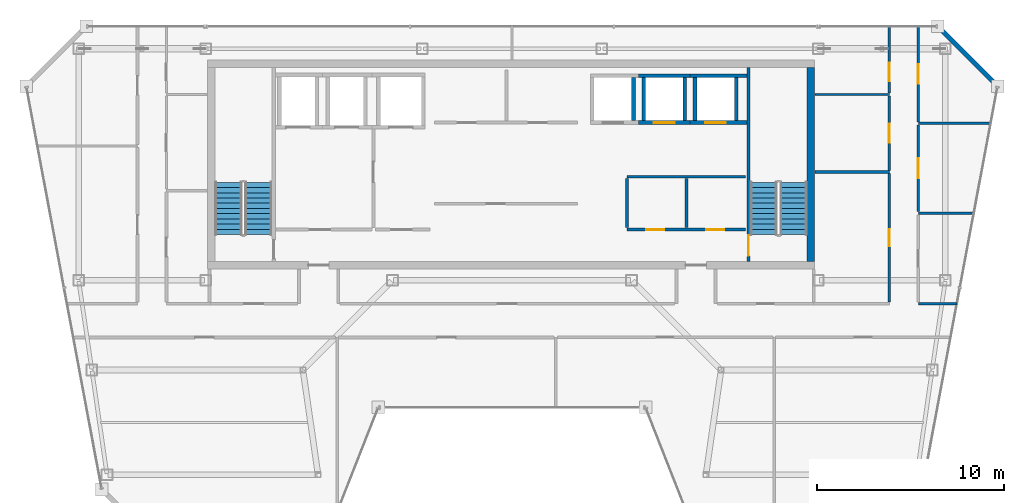
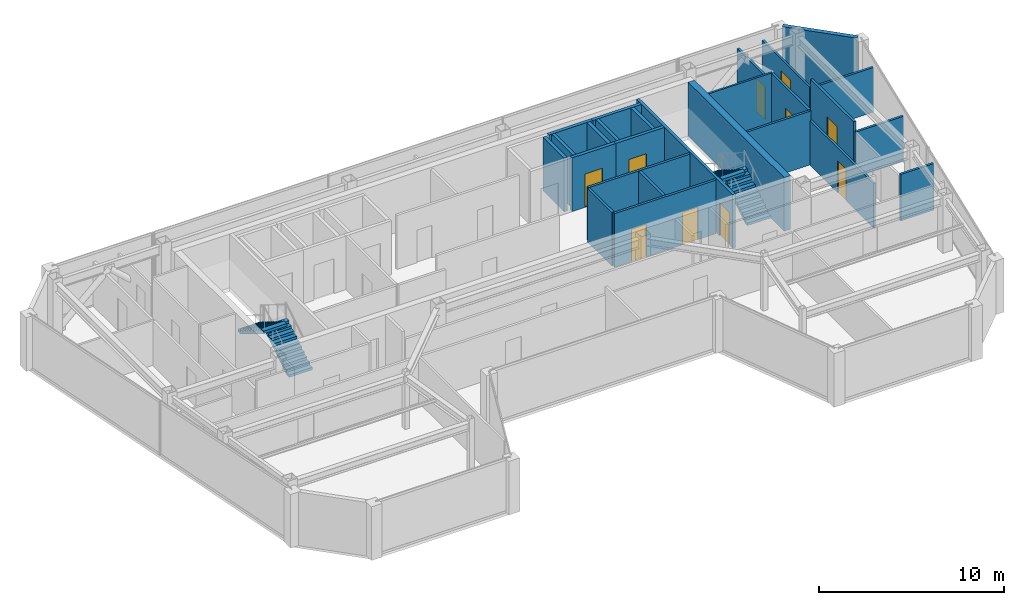
# One storey, part 20 of 22: 26 walls, 10 doors, 4 stair flights, 10 openings, 2 elements without a shape of their own.
"""IFC4 building model written with IfcOpenShell, lengths in metres."""

from ifc_helpers import new_model, si_unit, direction, frame, frame_2d, origin, place, context, subcontext, project, spatial, polyline, rectangle, outline, extrude, material, layer, layer_set, type_object, element, fill, aggregate, save


model = new_model("IFC4")

# Units and contexts
model_context = context("Model", 3, precision=1e-05, world=origin(), true_north=direction((0.0, 1.0)))
body_context = subcontext(model_context, "Body", "Model", "MODEL_VIEW")
ifc_project = project(units=[si_unit("LENGTHUNIT", "METRE"), si_unit("AREAUNIT", "SQUARE_METRE"), si_unit("VOLUMEUNIT", "CUBIC_METRE"), si_unit("PLANEANGLEUNIT", "RADIAN"), si_unit("MASSUNIT", "GRAM", prefix="KILO")], contexts=[model_context])

# Site, building, storey
site_placement = place(None, origin())
site = spatial("IfcSite", under=ifc_project, at=site_placement, CompositionType="ELEMENT")
building_placement = place(site_placement, origin())
building = spatial("IfcBuilding", under=site, at=building_placement, Name="Saevonmaru Cultural Tower", CompositionType="ELEMENT")
storey_placement = place(building_placement, frame((0.0, 0.0, 287.60009765625)))
storey = spatial("IfcBuildingStorey", under=building, at=storey_placement, Name="L68", CompositionType="ELEMENT", Elevation=287.60009765625)

# Wall
ifc_material_1 = material(Name="Concrete C50/60", Category="concrete")
ifc_layer_1 = layer(ifc_material_1, 0.39990234375, Name="Concrete C50/60")
ifc_layer_set_1 = layer_set([ifc_layer_1], Name="Concrete C50/60")
wall_type_1 = type_object("IfcWallType", Name="WL-CORE-400", PredefinedType="SHEAR", material=ifc_layer_set_1)
wall_1_placement = place(storey_placement, frame((46.0, 43.39990234375, 0.0), z_axis=(0.0, 0.0, 1.0), x_axis=(0.0, 1.0, 0.0)))
element("IfcWall", 1, at=wall_1_placement, inside=storey, type_object=wall_type_1, Name="L68 Tower RC core shear wall E", PredefinedType="SHEAR", context=body_context, shape_type="SweptSolid", body=[
    extrude(rectangle(XDim=10.400146484375, YDim=0.39990234375, at=frame_2d((5.2001953125, 0.0))), origin(), (0.0, 0.0, 1.0), 3.5498046875),
])

# Wall, openings, doors
ifc_material_2 = material(Name="Gypsum Fireboard Partition", Category="gypsum")
ifc_layer_2 = layer(ifc_material_2, 0.14990234375, Name="Gypsum Fireboard Partition")
ifc_layer_set_2 = layer_set([ifc_layer_2], Name="Gypsum Fireboard Partition")
wall_type_2 = type_object("IfcWallType", Name="WL-CORE-PART-150", PredefinedType="PARTITIONING", material=ifc_layer_set_2)
wall_2_placement = place(storey_placement, frame((36.14990234375, 45.1201171875, 0.0), z_axis=(0.0, 0.0, 1.0), x_axis=(1.0, 0.0, 0.0)))
wall_2 = element("IfcWall", 2, at=wall_2_placement, inside=storey, type_object=wall_type_2, Name="L68 Core Cluster South Wall", PredefinedType="PARTITIONING", context=body_context, shape_type="SweptSolid", body=[
    extrude(rectangle(XDim=6.35009765625, YDim=0.14990234375, at=frame_2d((3.175048828125, 0.0))), origin(), (0.0, 0.0, 1.0), 3.5498046875),
])
opening_1_placement = place(wall_2_placement, frame((1.050048828125, 0.0, 0.0)))
opening_1 = element("IfcOpeningElement", 3, at=opening_1_placement, cuts=wall_2, Name="Opening FD-4", PredefinedType="OPENING", context=body_context, shape_type="SweptSolid", body=[
    extrude(rectangle(XDim=0.949951171875, YDim=2.14990234375, at=frame_2d((0.47509765625, 1.074951171875))), frame((0.0, 0.0849609375, 0.0), z_axis=(0.0, -1.0, 0.0), x_axis=(1.0, 0.0, 0.0)), (0.0, 0.0, 1.0), 0.169921875),
])
opening_2_placement = place(wall_2_placement, frame((4.25, 0.0, 0.0)))
opening_2 = element("IfcOpeningElement", 4, at=opening_2_placement, cuts=wall_2, Name="Opening FD-4", PredefinedType="OPENING", context=body_context, shape_type="SweptSolid", body=[
    extrude(rectangle(XDim=0.949951171875, YDim=2.14990234375, at=frame_2d((0.47509765625, 1.074951171875))), frame((0.0, 0.0849609375, 0.0), z_axis=(0.0, -1.0, 0.0), x_axis=(1.0, 0.0, 0.0)), (0.0, 0.0, 1.0), 0.169921875),
])
ifc_material_3 = material(Name="Satin Bronze Anodised Aluminium", Category="aluminium")
door_type_1 = type_object("IfcDoorType", Name="DR-FD60-950", OperationType="SINGLE_SWING_LEFT", PredefinedType="DOOR", material=ifc_material_3)
door_1_placement = place(opening_1_placement, origin())
door_1 = element("IfcDoor", 5, at=door_1_placement, inside=storey, type_object=door_type_1, Name="L68 BMS Control Room Door", OperationType="SINGLE_SWING_LEFT", OverallHeight=2.14990234375, OverallWidth=0.949951171875, PredefinedType="DOOR", context=body_context, shape_type="SweptSolid", body=[
    extrude(rectangle(XDim=0.949951171875, YDim=2.14990234375, at=frame_2d((0.47509765625, 1.074951171875))), frame((0.0, 0.02490234375, 0.0), z_axis=(0.0, -1.0, 0.0), x_axis=(1.0, 0.0, 0.0)), (0.0, 0.0, 1.0), 0.050048828125),
])
fill(opening_1, door_1)
door_2_placement = place(opening_2_placement, origin())
door_2 = element("IfcDoor", 6, at=door_2_placement, inside=storey, type_object=door_type_1, Name="L68 Fibre Node Plant Door", OperationType="SINGLE_SWING_LEFT", OverallHeight=2.14990234375, OverallWidth=0.949951171875, PredefinedType="DOOR", context=body_context, shape_type="SweptSolid", body=[
    extrude(rectangle(XDim=0.949951171875, YDim=2.14990234375, at=frame_2d((0.47509765625, 1.074951171875))), frame((0.0, 0.02490234375, 0.0), z_axis=(0.0, -1.0, 0.0), x_axis=(1.0, 0.0, 0.0)), (0.0, 0.0, 1.0), 0.050048828125),
])
fill(opening_2, door_2)

# Walls
wall_3_placement = place(storey_placement, frame((36.14990234375, 47.949951171875, 0.0), z_axis=(0.0, 0.0, 1.0), x_axis=(1.0, 0.0, 0.0)))
element("IfcWall", 7, at=wall_3_placement, inside=storey, type_object=wall_type_2, Name="L68 Core Cluster North Wall", PredefinedType="PARTITIONING", context=body_context, shape_type="SweptSolid", body=[
    extrude(rectangle(XDim=6.35009765625, YDim=0.14990234375, at=frame_2d((3.175048828125, 0.0))), origin(), (0.0, 0.0, 1.0), 3.5498046875),
])
for number, where, z_axis, x_axis, name in (
    (8, (36.14990234375, 45.219970703125, 0.0), (0.0, 0.0, 1.0), (0.0, 1.0, 0.0), "L68 Core Cluster West Wall"),
    (9, (39.35009765625, 45.219970703125, 0.0), (0.0, 0.0, 1.0), (0.0, 1.0, 0.0), "L68 Core Cluster Inner Split"),
):
    element("IfcWall", number, at=place(storey_placement, frame(where, z_axis=z_axis, x_axis=x_axis)), inside=storey, type_object=wall_type_2, Name=name, PredefinedType="PARTITIONING", context=body_context, shape_type="SweptSolid", body=[
        extrude(rectangle(XDim=2.630126953125, YDim=0.14990234375, at=frame_2d((1.31494140625, 0.0))), origin(), (0.0, 0.0, 1.0), 3.5498046875),
    ])
ifc_material_4 = material(Name="Granite-Clad Precast Concrete C40/50", Category="masonry")
ifc_layer_3 = layer(ifc_material_4, 0.260009765625, Name="Granite-Clad Precast Concrete C40/50")
ifc_layer_set_3 = layer_set([ifc_layer_3], Name="Granite-Clad Precast Concrete C40/50")
wall_type_3 = type_object("IfcWallType", Name="WL-EXT-SPANDREL-260", PredefinedType="STANDARD", material=ifc_layer_set_3)
wall_4_placement = place(storey_placement, frame((55.886962890625, 52.9130859375, 0.0), z_axis=(0.0, 0.0, 1.0), x_axis=(-0.707106781187, 0.707106781187, 0.0)))
element("IfcWall", 10, at=wall_4_placement, inside=storey, type_object=wall_type_3, Name="L68 Chamfer Corner Spandrel Wall E9", PredefinedType="STANDARD", context=body_context, shape_type="SweptSolid", body=[
    extrude(rectangle(XDim=4.205810546875, YDim=0.260009765625, at=frame_2d((2.10302734375, 0.0))), origin(), (0.0, 0.0, 1.0), 3.5498046875),
])

# Wall, opening, door
ifc_layer_4 = layer(ifc_material_2, 0.14990234375, Name="Gypsum Fireboard Partition")
ifc_layer_set_4 = layer_set([ifc_layer_4], Name="Gypsum Fireboard Partition")
wall_type_4 = type_object("IfcWallType", Name="WL-PART-FIRE-150", PredefinedType="PARTITIONING", material=ifc_layer_set_4)
wall_5_placement = place(storey_placement, frame((50.199951171875, 48.2900390625, 0.0), z_axis=(0.0, 0.0, 1.0), x_axis=(0.0, 1.0, 0.0)))
wall_5 = element("IfcWall", 11, at=wall_5_placement, inside=storey, type_object=wall_type_4, Name="L68 Acoustic Chamber Auditorium Corridor Wall", PredefinedType="PARTITIONING", context=body_context, shape_type="SweptSolid", body=[
    extrude(rectangle(XDim=3.97998046875, YDim=0.14990234375, at=frame_2d((1.989990234375, 0.0))), origin(), (0.0, 0.0, 1.0), 3.5498046875),
])
opening_3_placement = place(wall_5_placement, frame((1.489990234375, 0.0, 0.0)))
opening_3 = element("IfcOpeningElement", 12, at=opening_3_placement, cuts=wall_5, Name="Opening ID-1B", PredefinedType="OPENING", context=body_context, shape_type="SweptSolid", body=[
    extrude(rectangle(XDim=1.0, YDim=2.14990234375, at=frame_2d((0.5, 1.074951171875))), frame((0.0, 0.0849609375, 0.0), z_axis=(0.0, -1.0, 0.0), x_axis=(1.0, 0.0, 0.0)), (0.0, 0.0, 1.0), 0.169921875),
])
ifc_material_5 = material(Name="Acoustic Stained Oak Timber", Category="wood")
door_type_2 = type_object("IfcDoorType", Name="DR-INT-1000", OperationType="SINGLE_SWING_RIGHT", PredefinedType="DOOR", material=ifc_material_5)
door_3_placement = place(opening_3_placement, origin())
door_3 = element("IfcDoor", 13, at=door_3_placement, inside=storey, type_object=door_type_2, Name="L68 Acoustic Chamber Auditorium Door", OperationType="SINGLE_SWING_LEFT", OverallHeight=2.14990234375, OverallWidth=1.0, PredefinedType="DOOR", context=body_context, shape_type="SweptSolid", body=[
    extrude(rectangle(XDim=1.0, YDim=2.14990234375, at=frame_2d((0.5, 1.074951171875))), frame((0.0, 0.02490234375, 0.0), z_axis=(0.0, -1.0, 0.0), x_axis=(1.0, 0.0, 0.0)), (0.0, 0.0, 1.0), 0.050048828125),
])
fill(opening_3, door_3)

wall_6_placement = place(storey_placement, frame((50.199951171875, 52.429931640625, 0.0), z_axis=(0.0, 0.0, 1.0), x_axis=(0.0, 1.0, 0.0)))
wall_6 = element("IfcWall", 14, at=wall_6_placement, inside=storey, type_object=wall_type_4, Name="L68 Sound Art Screening Auditorium Corridor Wall", PredefinedType="PARTITIONING", context=body_context, shape_type="SweptSolid", body=[
    extrude(rectangle(XDim=3.565185546875, YDim=0.14990234375, at=frame_2d((1.78271484375, 0.0))), origin(), (0.0, 0.0, 1.0), 2.934814453125),
])
opening_4_placement = place(wall_6_placement, frame((0.6220703125, 0.0, 0.0)))
opening_4 = element("IfcOpeningElement", 15, at=opening_4_placement, cuts=wall_6, Name="Opening ID-1B", PredefinedType="OPENING", context=body_context, shape_type="SweptSolid", body=[
    extrude(rectangle(XDim=1.0, YDim=2.14990234375, at=frame_2d((0.5, 1.074951171875))), frame((0.0, 0.0849609375, 0.0), z_axis=(0.0, -1.0, 0.0), x_axis=(1.0, 0.0, 0.0)), (0.0, 0.0, 1.0), 0.169921875),
])
door_4_placement = place(opening_4_placement, origin())
door_4 = element("IfcDoor", 16, at=door_4_placement, inside=storey, type_object=door_type_2, Name="L68 Sound Art Screening Auditorium Door", OperationType="SINGLE_SWING_RIGHT", OverallHeight=2.14990234375, OverallWidth=1.0, PredefinedType="DOOR", context=body_context, shape_type="SweptSolid", body=[
    extrude(rectangle(XDim=1.0, YDim=2.14990234375, at=frame_2d((0.5, 1.074951171875))), frame((0.0, 0.02490234375, 0.0), z_axis=(0.0, -1.0, 0.0), x_axis=(1.0, 0.0, 0.0)), (0.0, 0.0, 1.0), 0.050048828125),
])
fill(opening_4, door_4)

wall_7_placement = place(storey_placement, frame((51.75, 46.08740234375, 0.0), z_axis=(0.0, 0.0, 1.0), x_axis=(0.0, 1.0, 0.0)))
wall_7 = element("IfcWall", 17, at=wall_7_placement, inside=storey, type_object=wall_type_4, Name="L68 Sky Observatory Gallery Corridor Wall", PredefinedType="PARTITIONING", context=body_context, shape_type="SweptSolid", body=[
    extrude(rectangle(XDim=4.625, YDim=0.14990234375, at=frame_2d((2.3125, 0.0))), origin(), (0.0, 0.0, 1.0), 3.5498046875),
])
opening_5_placement = place(wall_7_placement, frame((1.7880859375, 0.0, 0.0)))
opening_5 = element("IfcOpeningElement", 18, at=opening_5_placement, cuts=wall_7, Name="Opening ID-1", PredefinedType="OPENING", context=body_context, shape_type="SweptSolid", body=[
    extrude(rectangle(XDim=1.050048828125, YDim=2.14990234375, at=frame_2d((0.52490234375, 1.074951171875))), frame((0.0, 0.0849609375, 0.0), z_axis=(0.0, -1.0, 0.0), x_axis=(1.0, 0.0, 0.0)), (0.0, 0.0, 1.0), 0.169921875),
])
door_type_3 = type_object("IfcDoorType", Name="DR-INT-1050", OperationType="SINGLE_SWING_LEFT", PredefinedType="DOOR", material=ifc_material_3)
door_5_placement = place(opening_5_placement, origin())
door_5 = element("IfcDoor", 19, at=door_5_placement, inside=storey, type_object=door_type_3, Name="L68 Sky Observatory Gallery Door", OperationType="SINGLE_SWING_LEFT", OverallHeight=2.14990234375, OverallWidth=1.050048828125, PredefinedType="DOOR", context=body_context, shape_type="SweptSolid", body=[
    extrude(rectangle(XDim=1.050048828125, YDim=2.14990234375, at=frame_2d((0.52490234375, 1.074951171875))), frame((0.0, 0.02490234375, 0.0), z_axis=(0.0, -1.0, 0.0), x_axis=(1.0, 0.0, 0.0)), (0.0, 0.0, 1.0), 0.050048828125),
])
fill(opening_5, door_5)

# Wall
ifc_layer_5 = layer(ifc_material_2, 0.1201171875, Name="Gypsum Fireboard Partition")
ifc_layer_set_5 = layer_set([ifc_layer_5], Name="Gypsum Fireboard Partition")
wall_type_5 = type_object("IfcWallType", Name="WL-PART-GYP-120", PredefinedType="PARTITIONING", material=ifc_layer_set_5)
wall_8_placement = place(storey_placement, frame((46.219970703125, 52.35009765625, 0.0), z_axis=(0.0, 0.0, 1.0), x_axis=(1.0, 0.0, 0.0)))
element("IfcWall", 20, at=wall_8_placement, inside=storey, type_object=wall_type_5, Name="L68 North-East Panorama South Wall", PredefinedType="PARTITIONING", context=body_context, shape_type="SweptSolid", body=[
    extrude(rectangle(XDim=3.97998046875, YDim=0.1201171875, at=frame_2d((1.989990234375, 0.0))), origin(), (0.0, 0.0, 1.0), 3.5498046875),
])

# Wall, opening, door
wall_9_placement = place(storey_placement, frame((51.75, 50.887451171875, 0.0), z_axis=(0.0, 0.0, 1.0), x_axis=(0.0, 1.0, 0.0)))
wall_9 = element("IfcWall", 21, at=wall_9_placement, inside=storey, type_object=wall_type_5, Name="L68 Panorama Reading Room Corridor Wall", PredefinedType="PARTITIONING", context=body_context, shape_type="SweptSolid", body=[
    extrude(rectangle(XDim=5.107666015625, YDim=0.1201171875, at=frame_2d((2.5537109375, 0.0))), origin(), (0.0, 0.0, 1.0), 2.934814453125),
])
opening_6_placement = place(wall_9_placement, frame((2.029052734375, 0.0, 0.0)))
opening_6 = element("IfcOpeningElement", 22, at=opening_6_placement, cuts=wall_9, Name="Opening ID-1", PredefinedType="OPENING", context=body_context, shape_type="SweptSolid", body=[
    extrude(rectangle(XDim=1.050048828125, YDim=2.14990234375, at=frame_2d((0.52490234375, 1.074951171875))), frame((0.0, 0.070068359375, 0.0), z_axis=(0.0, -1.0, 0.0), x_axis=(1.0, 0.0, 0.0)), (0.0, 0.0, 1.0), 0.14013671875),
])
door_6_placement = place(opening_6_placement, origin())
door_6 = element("IfcDoor", 23, at=door_6_placement, inside=storey, type_object=door_type_3, Name="L68 Panorama Reading Room Door", OperationType="SINGLE_SWING_RIGHT", OverallHeight=2.14990234375, OverallWidth=1.050048828125, PredefinedType="DOOR", context=body_context, shape_type="SweptSolid", body=[
    extrude(rectangle(XDim=1.050048828125, YDim=2.14990234375, at=frame_2d((0.52490234375, 1.074951171875))), frame((0.0, 0.02490234375, 0.0), z_axis=(0.0, -1.0, 0.0), x_axis=(1.0, 0.0, 0.0)), (0.0, 0.0, 1.0), 0.050048828125),
])
fill(opening_6, door_6)

# Walls
ifc_layer_6 = layer(ifc_material_2, 0.135009765625, Name="Gypsum Fireboard Partition")
ifc_layer_set_6 = layer_set([ifc_layer_6], Name="Gypsum Fireboard Partition")
wall_type_6 = type_object("IfcWallType", Name="WL-PART-GYP-135", PredefinedType="PARTITIONING", material=ifc_layer_set_6)
wall_10_placement = place(storey_placement, frame((51.75, 41.14990234375, 0.0), z_axis=(0.0, 0.0, 1.0), x_axis=(1.0, 0.0, 0.0)))
element("IfcWall", 24, at=wall_10_placement, inside=storey, type_object=wall_type_6, Name="L68 NE Wing South Wall", PredefinedType="PARTITIONING", context=body_context, shape_type="SweptSolid", body=[
    extrude(rectangle(XDim=2.063720703125, YDim=0.135009765625, at=frame_2d((1.03173828125, 0.0))), origin(), (0.0, 0.0, 1.0), 3.0849609375),
])
wall_11_placement = place(storey_placement, frame((51.75, 46.0, 0.0), z_axis=(0.0, 0.0, 1.0), x_axis=(1.0, 0.0, 0.0)))
element("IfcWall", 25, at=wall_11_placement, inside=storey, type_object=wall_type_6, Name="L68 NE Studio Divider 1", PredefinedType="PARTITIONING", context=body_context, shape_type="SweptSolid", body=[
    extrude(rectangle(XDim=2.9716796875, YDim=0.135009765625, at=frame_2d((1.48583984375, 0.0))), origin(), (0.0, 0.0, 1.0), 2.947021484375),
])
wall_12_placement = place(storey_placement, frame((51.75, 50.800048828125, 0.0), z_axis=(0.0, 0.0, 1.0), x_axis=(1.0, 0.0, 0.0)))
element("IfcWall", 26, at=wall_12_placement, inside=storey, type_object=wall_type_6, Name="L68 NE Studio Divider 2", PredefinedType="PARTITIONING", context=body_context, shape_type="SweptSolid", body=[
    extrude(rectangle(XDim=3.870361328125, YDim=0.135009765625, at=frame_2d((1.93505859375, 0.0))), origin(), (0.0, 0.0, 1.0), 2.947021484375),
])
ifc_layer_7 = layer(ifc_material_2, 0.139892578125, Name="Gypsum Fireboard Partition")
ifc_layer_set_7 = layer_set([ifc_layer_7], Name="Gypsum Fireboard Partition")
wall_type_7 = type_object("IfcWallType", Name="WL-PART-WET-140", PredefinedType="PARTITIONING", material=ifc_layer_set_7)
wall_13_placement = place(storey_placement, frame((46.219970703125, 48.199951171875, 0.0), z_axis=(0.0, 0.0, 1.0), x_axis=(1.0, 0.0, 0.0)))
element("IfcWall", 27, at=wall_13_placement, inside=storey, type_object=wall_type_7, Name="L68 Washroom North Wall", PredefinedType="PARTITIONING", context=body_context, shape_type="SweptSolid", body=[
    extrude(rectangle(XDim=3.97998046875, YDim=0.139892578125, at=frame_2d((1.989990234375, 0.0))), origin(), (0.0, 0.0, 1.0), 3.5498046875),
])

# Wall, opening, door
wall_14_placement = place(storey_placement, frame((50.199951171875, 41.239990234375, 0.0), z_axis=(0.0, 0.0, 1.0), x_axis=(0.0, 1.0, 0.0)))
wall_14 = element("IfcWall", 28, at=wall_14_placement, inside=storey, type_object=wall_type_7, Name="L68 Washroom Corridor Wall", PredefinedType="PARTITIONING", context=body_context, shape_type="SweptSolid", body=[
    extrude(rectangle(XDim=6.8701171875, YDim=0.139892578125, at=frame_2d((3.43505859375, 0.0))), origin(), (0.0, 0.0, 1.0), 2.947021484375),
])
opening_7_placement = place(wall_14_placement, frame((2.985107421875, 0.0, 0.0)))
opening_7 = element("IfcOpeningElement", 29, at=opening_7_placement, cuts=wall_14, Name="Opening ID-2", PredefinedType="OPENING", context=body_context, shape_type="SweptSolid", body=[
    extrude(rectangle(XDim=0.89990234375, YDim=2.10009765625, at=frame_2d((0.449951171875, 1.050048828125))), frame((0.0, 0.080078125, 0.0), z_axis=(0.0, -1.0, 0.0), x_axis=(1.0, 0.0, 0.0)), (0.0, 0.0, 1.0), 0.159912109375),
])
door_type_4 = type_object("IfcDoorType", Name="DR-INT-900", OperationType="SINGLE_SWING_RIGHT", PredefinedType="DOOR", material=ifc_material_5)
door_7_placement = place(opening_7_placement, origin())
door_7 = element("IfcDoor", 30, at=door_7_placement, inside=storey, type_object=door_type_4, Name="L68 Public Accessible Washrooms Door", OperationType="SINGLE_SWING_RIGHT", OverallHeight=2.10009765625, OverallWidth=0.89990234375, PredefinedType="DOOR", context=body_context, shape_type="SweptSolid", body=[
    extrude(rectangle(XDim=0.89990234375, YDim=2.10009765625, at=frame_2d((0.449951171875, 1.050048828125))), frame((0.0, 0.02490234375, 0.0), z_axis=(0.0, -1.0, 0.0), x_axis=(1.0, 0.0, 0.0)), (0.0, 0.0, 1.0), 0.050048828125),
])
fill(opening_7, door_7)

# Wall
ifc_material_6 = material(Name="Concrete C40/50", Category="concrete")
ifc_layer_8 = layer(ifc_material_6, 0.199951171875, Name="Concrete C40/50")
ifc_layer_set_8 = layer_set([ifc_layer_8], Name="Concrete C40/50")
wall_type_8 = type_object("IfcWallType", Name="WL-SHAFT-200", PredefinedType="SHEAR", material=ifc_layer_set_8)
wall_15_placement = place(storey_placement, frame((36.5, 50.949951171875, 0.0), z_axis=(0.0, 0.0, 1.0), x_axis=(0.0, 1.0, 0.0)))
element("IfcWall", 31, at=wall_15_placement, inside=storey, type_object=wall_type_8, Name="L68 Lift PL-H1 Hoistway Wall E", PredefinedType="SHEAR", context=body_context, shape_type="SweptSolid", body=[
    extrude(rectangle(XDim=2.300048828125, YDim=0.199951171875, at=frame_2d((1.14990234375, 0.0))), origin(), (0.0, 0.0, 1.0), 3.5498046875),
])

# Wall, opening, door
wall_16_placement = place(storey_placement, frame((36.77490234375, 50.85009765625, 0.0), z_axis=(0.0, 0.0, 1.0), x_axis=(1.0, 0.0, 0.0)))
wall_16 = element("IfcWall", 32, at=wall_16_placement, inside=storey, type_object=wall_type_8, Name="L68 Lift PL-H2 Hoistway Wall S", PredefinedType="SHEAR", context=body_context, shape_type="SweptSolid", body=[
    extrude(rectangle(XDim=2.75, YDim=0.199951171875, at=frame_2d((1.375, 0.0))), origin(), (0.0, 0.0, 1.0), 3.5498046875),
])
opening_8_placement = place(wall_16_placement, frame((0.824951171875, 0.0, 0.0)))
opening_8 = element("IfcOpeningElement", 33, at=opening_8_placement, cuts=wall_16, Name="Opening LD-1", PredefinedType="OPENING", context=body_context, shape_type="SweptSolid", body=[
    extrude(rectangle(XDim=1.10009765625, YDim=2.199951171875, at=frame_2d((0.550048828125, 1.10009765625))), frame((0.0, 0.10986328125, 0.0), z_axis=(0.0, -1.0, 0.0), x_axis=(1.0, 0.0, 0.0)), (0.0, 0.0, 1.0), 0.219970703125),
])
ifc_material_7 = material(Name="Satin Bronze Stainless Steel", Category="steel")
door_type_5 = type_object("IfcDoorType", Name="DR-LIFT-1100", OperationType="SLIDING_TO_LEFT", PredefinedType="DOOR", material=ifc_material_7)
door_8_placement = place(opening_8_placement, origin())
door_8 = element("IfcDoor", 34, at=door_8_placement, inside=storey, type_object=door_type_5, Name="L68 Lift PL-H2 Sliding Landing Door", OperationType="SLIDING_TO_LEFT", OverallHeight=2.199951171875, OverallWidth=1.10009765625, PredefinedType="DOOR", context=body_context, shape_type="SweptSolid", body=[
    extrude(rectangle(XDim=1.10009765625, YDim=2.199951171875, at=frame_2d((0.550048828125, 1.10009765625))), frame((0.0, 0.02490234375, 0.0), z_axis=(0.0, -1.0, 0.0), x_axis=(1.0, 0.0, 0.0)), (0.0, 0.0, 1.0), 0.050048828125),
])
fill(opening_8, door_8)

# Walls
wall_17_placement = place(storey_placement, frame((36.77490234375, 53.35009765625, 0.0), z_axis=(0.0, 0.0, 1.0), x_axis=(1.0, 0.0, 0.0)))
element("IfcWall", 35, at=wall_17_placement, inside=storey, type_object=wall_type_8, Name="L68 Lift PL-H2 Hoistway Wall N", PredefinedType="SHEAR", context=body_context, shape_type="SweptSolid", body=[
    extrude(rectangle(XDim=2.75, YDim=0.199951171875, at=frame_2d((1.375, 0.0))), origin(), (0.0, 0.0, 1.0), 3.5498046875),
])
for number, where, z_axis, x_axis, name in (
    (36, (37.050048828125, 50.949951171875, 0.0), (0.0, 0.0, 1.0), (0.0, 1.0, 0.0), "L68 Lift PL-H2 Hoistway Wall W"),
    (37, (39.25, 50.949951171875, 0.0), (0.0, 0.0, 1.0), (0.0, 1.0, 0.0), "L68 Lift PL-H2 Hoistway Wall E"),
):
    element("IfcWall", number, at=place(storey_placement, frame(where, z_axis=z_axis, x_axis=x_axis)), inside=storey, type_object=wall_type_8, Name=name, PredefinedType="SHEAR", context=body_context, shape_type="SweptSolid", body=[
        extrude(rectangle(XDim=2.300048828125, YDim=0.199951171875, at=frame_2d((1.14990234375, 0.0))), origin(), (0.0, 0.0, 1.0), 3.5498046875),
    ])

# Wall, opening, door
wall_18_placement = place(storey_placement, frame((39.52490234375, 50.85009765625, 0.0), z_axis=(0.0, 0.0, 1.0), x_axis=(1.0, 0.0, 0.0)))
wall_18 = element("IfcWall", 38, at=wall_18_placement, inside=storey, type_object=wall_type_8, Name="L68 Lift PL-H3 Hoistway Wall S", PredefinedType="SHEAR", context=body_context, shape_type="SweptSolid", body=[
    extrude(rectangle(XDim=3.045166015625, YDim=0.199951171875, at=frame_2d((1.5224609375, 0.0))), origin(), (0.0, 0.0, 1.0), 3.5498046875),
])
opening_9_placement = place(wall_18_placement, frame((0.824951171875, 0.0, 0.0)))
opening_9 = element("IfcOpeningElement", 39, at=opening_9_placement, cuts=wall_18, Name="Opening LD-1", PredefinedType="OPENING", context=body_context, shape_type="SweptSolid", body=[
    extrude(rectangle(XDim=1.10009765625, YDim=2.199951171875, at=frame_2d((0.550048828125, 1.10009765625))), frame((0.0, 0.10986328125, 0.0), z_axis=(0.0, -1.0, 0.0), x_axis=(1.0, 0.0, 0.0)), (0.0, 0.0, 1.0), 0.219970703125),
])
door_9_placement = place(opening_9_placement, origin())
door_9 = element("IfcDoor", 40, at=door_9_placement, inside=storey, type_object=door_type_5, Name="L68 Lift PL-H3 Sliding Landing Door", OperationType="SLIDING_TO_LEFT", OverallHeight=2.199951171875, OverallWidth=1.10009765625, PredefinedType="DOOR", context=body_context, shape_type="SweptSolid", body=[
    extrude(rectangle(XDim=1.10009765625, YDim=2.199951171875, at=frame_2d((0.550048828125, 1.10009765625))), frame((0.0, 0.02490234375, 0.0), z_axis=(0.0, -1.0, 0.0), x_axis=(1.0, 0.0, 0.0)), (0.0, 0.0, 1.0), 0.050048828125),
])
fill(opening_9, door_9)

# Walls
wall_19_placement = place(storey_placement, frame((39.52490234375, 53.35009765625, 0.0), z_axis=(0.0, 0.0, 1.0), x_axis=(1.0, 0.0, 0.0)))
element("IfcWall", 41, at=wall_19_placement, inside=storey, type_object=wall_type_8, Name="L68 Lift PL-H3 Hoistway Wall N", PredefinedType="SHEAR", context=body_context, shape_type="SweptSolid", body=[
    extrude(rectangle(XDim=3.045166015625, YDim=0.199951171875, at=frame_2d((1.5224609375, 0.0))), origin(), (0.0, 0.0, 1.0), 3.5498046875),
])
for number, where, z_axis, x_axis, name in (
    (42, (39.800048828125, 50.949951171875, 0.0), (0.0, 0.0, 1.0), (0.0, 1.0, 0.0), "L68 Lift PL-H3 Hoistway Wall W"),
    (43, (42.0, 50.949951171875, 0.0), (0.0, 0.0, 1.0), (0.0, 1.0, 0.0), "L68 Lift PL-H3 Hoistway Wall E"),
):
    element("IfcWall", number, at=place(storey_placement, frame(where, z_axis=z_axis, x_axis=x_axis)), inside=storey, type_object=wall_type_8, Name=name, PredefinedType="SHEAR", context=body_context, shape_type="SweptSolid", body=[
        extrude(rectangle(XDim=2.300048828125, YDim=0.199951171875, at=frame_2d((1.14990234375, 0.0))), origin(), (0.0, 0.0, 1.0), 3.5498046875),
    ])

# Wall, opening, door
ifc_layer_9 = layer(ifc_material_6, 0.179931640625, Name="Concrete C40/50")
ifc_layer_set_9 = layer_set([ifc_layer_9], Name="Concrete C40/50")
wall_type_9 = type_object("IfcWallType", Name="WL-STSHAFT-180", PredefinedType="SHEAR", material=ifc_layer_set_9)
wall_20_placement = place(storey_placement, frame((42.659912109375, 53.800048828125, 0.0), z_axis=(0.0, 0.0, 1.0), x_axis=(0.0, -1.0, 0.0)))
wall_20 = element("IfcWall", 44, at=wall_20_placement, inside=storey, type_object=wall_type_9, Name="L68 Stair ST-2 Structural Shaft Wall 1", PredefinedType="SHEAR", context=body_context, shape_type="SweptSolid", body=[
    extrude(rectangle(XDim=10.400146484375, YDim=0.179931640625, at=frame_2d((5.2001953125, 0.0))), origin(), (0.0, 0.0, 1.0), 3.5498046875),
])
opening_10_placement = place(wall_20_placement, frame((8.989990234375, 0.0, 0.0)))
opening_10 = element("IfcOpeningElement", 45, at=opening_10_placement, cuts=wall_20, Name="Opening FD-2", PredefinedType="OPENING", context=body_context, shape_type="SweptSolid", body=[
    extrude(rectangle(XDim=1.10009765625, YDim=2.14990234375, at=frame_2d((0.550048828125, 1.074951171875))), frame((0.0, 0.10009765625, 0.0), z_axis=(0.0, -1.0, 0.0), x_axis=(1.0, 0.0, 0.0)), (0.0, 0.0, 1.0), 0.199951171875),
])
door_type_6 = type_object("IfcDoorType", Name="DR-FD60-1100", OperationType="SINGLE_SWING_LEFT", PredefinedType="DOOR", material=ifc_material_3)
door_10_placement = place(opening_10_placement, origin())
door_10 = element("IfcDoor", 46, at=door_10_placement, inside=storey, type_object=door_type_6, Name="L68 Protected Stair ST-2 Fire Door", OperationType="SINGLE_SWING_LEFT", OverallHeight=2.14990234375, OverallWidth=1.10009765625, PredefinedType="DOOR", context=body_context, shape_type="SweptSolid", body=[
    extrude(rectangle(XDim=1.10009765625, YDim=2.14990234375, at=frame_2d((0.550048828125, 1.074951171875))), frame((0.0, 0.02490234375, 0.0), z_axis=(0.0, -1.0, 0.0), x_axis=(1.0, 0.0, 0.0)), (0.0, 0.0, 1.0), 0.050048828125),
])
fill(opening_10, door_10)

# Stair, stair flights
stair_type = type_object("IfcStairType", Name="STR-DOGLEG-RC", PredefinedType="HALF_TURN_STAIR", material=ifc_material_6)
stair_1_placement = place(storey_placement, origin())
stair_1 = element("IfcStair", 47, at=stair_1_placement, inside=storey, type_object=stair_type, Name="L68 Protected exit stair ST-1", PredefinedType="HALF_TURN_STAIR")
ifc_material_8 = material(Name="Precast concrete C40/50", Category="concrete")
stair_flight_type = type_object("IfcStairFlightType", Name="STF-PRECAST-180", PredefinedType="STRAIGHT", material=ifc_material_8)
stair_flight_1_placement = place(storey_placement, frame((16.425048828125, 44.85009765625, 0.0), z_axis=(0.0, 0.0, 1.0), x_axis=(0.0, 1.0, 0.0)))
stair_flight_1 = element("IfcStairFlight", 48, at=stair_flight_1_placement, type_object=stair_flight_type, Name="ST-1-L68 flight 1", NumberOfRisers=11, NumberOfTreads=10, PredefinedType="STRAIGHT", RiserHeight=0.172727273, TreadLength=0.28, context=body_context, shape_type="SweptSolid", body=[
    extrude(outline(polyline([(0.0, 0.0), (0.0, 0.172607421875), (0.280029296875, 0.172607421875), (0.280029296875, 0.345458984375), (0.56005859375, 0.345458984375), (0.56005859375, 0.51806640625), (0.840087890625, 0.51806640625), (0.840087890625, 0.69091796875), (1.1201171875, 0.69091796875), (1.1201171875, 0.863525390625), (1.39990234375, 0.863525390625), (1.39990234375, 1.036376953125), (1.679931640625, 1.036376953125), (1.679931640625, 1.208984375), (1.9599609375, 1.208984375), (1.9599609375, 1.3818359375), (2.239990234375, 1.3818359375), (2.239990234375, 1.554443359375), (2.52001953125, 1.554443359375), (2.52001953125, 1.727294921875), (2.800048828125, 1.727294921875), (2.800048828125, 1.89990234375), (2.800048828125, 1.551025390625), (0.285400390625, 0.0), (0.0, 0.0)])), frame((0.0, 0.72509765625, 0.0), z_axis=(0.0, -1.0, 0.0), x_axis=(1.0, 0.0, 0.0)), (0.0, 0.0, 1.0), 1.449951171875),
])
stair_flight_2_placement = place(storey_placement, frame((14.824951171875, 47.64990234375, 1.89990234375), z_axis=(0.0, 0.0, 1.0), x_axis=(0.0, -1.0, 0.0)))
stair_flight_2 = element("IfcStairFlight", 49, at=stair_flight_2_placement, type_object=stair_flight_type, Name="ST-1-L68 flight 2", NumberOfRisers=11, NumberOfTreads=10, PredefinedType="STRAIGHT", RiserHeight=0.172727273, TreadLength=0.28, context=body_context, shape_type="SweptSolid", body=[
    extrude(outline(polyline([(0.0, 0.0), (0.0, 0.172607421875), (0.280029296875, 0.172607421875), (0.280029296875, 0.345458984375), (0.56005859375, 0.345458984375), (0.56005859375, 0.51806640625), (0.840087890625, 0.51806640625), (0.840087890625, 0.69091796875), (1.1201171875, 0.69091796875), (1.1201171875, 0.863525390625), (1.39990234375, 0.863525390625), (1.39990234375, 1.036376953125), (1.679931640625, 1.036376953125), (1.679931640625, 1.208984375), (1.9599609375, 1.208984375), (1.9599609375, 1.3818359375), (2.239990234375, 1.3818359375), (2.239990234375, 1.554443359375), (2.52001953125, 1.554443359375), (2.52001953125, 1.727294921875), (2.800048828125, 1.727294921875), (2.800048828125, 1.89990234375), (2.800048828125, 1.551025390625), (0.285400390625, 0.0), (0.0, 0.0)])), frame((0.0, 0.72509765625, 0.0), z_axis=(0.0, -1.0, 0.0), x_axis=(1.0, 0.0, 0.0)), (0.0, 0.0, 1.0), 1.449951171875),
])
aggregate(stair_1, [stair_flight_1, stair_flight_2])

stair_2_placement = place(storey_placement, origin())
stair_2 = element("IfcStair", 50, at=stair_2_placement, inside=storey, type_object=stair_type, Name="L68 Protected exit stair ST-2", PredefinedType="HALF_TURN_STAIR")
stair_flight_3_placement = place(storey_placement, frame((45.074951171875, 44.85009765625, 0.0), z_axis=(0.0, 0.0, 1.0), x_axis=(0.0, 1.0, 0.0)))
stair_flight_3 = element("IfcStairFlight", 51, at=stair_flight_3_placement, type_object=stair_flight_type, Name="ST-2-L68 flight 1", NumberOfRisers=11, NumberOfTreads=10, PredefinedType="STRAIGHT", RiserHeight=0.172727273, TreadLength=0.28, context=body_context, shape_type="SweptSolid", body=[
    extrude(outline(polyline([(0.0, 0.0), (0.0, 0.172607421875), (0.280029296875, 0.172607421875), (0.280029296875, 0.345458984375), (0.56005859375, 0.345458984375), (0.56005859375, 0.51806640625), (0.840087890625, 0.51806640625), (0.840087890625, 0.69091796875), (1.1201171875, 0.69091796875), (1.1201171875, 0.863525390625), (1.39990234375, 0.863525390625), (1.39990234375, 1.036376953125), (1.679931640625, 1.036376953125), (1.679931640625, 1.208984375), (1.9599609375, 1.208984375), (1.9599609375, 1.3818359375), (2.239990234375, 1.3818359375), (2.239990234375, 1.554443359375), (2.52001953125, 1.554443359375), (2.52001953125, 1.727294921875), (2.800048828125, 1.727294921875), (2.800048828125, 1.89990234375), (2.800048828125, 1.551025390625), (0.285400390625, 0.0), (0.0, 0.0)])), frame((0.0, 0.72509765625, 0.0), z_axis=(0.0, -1.0, 0.0), x_axis=(1.0, 0.0, 0.0)), (0.0, 0.0, 1.0), 1.449951171875),
])
stair_flight_4_placement = place(storey_placement, frame((43.47509765625, 47.64990234375, 1.89990234375), z_axis=(0.0, 0.0, 1.0), x_axis=(0.0, -1.0, 0.0)))
stair_flight_4 = element("IfcStairFlight", 52, at=stair_flight_4_placement, type_object=stair_flight_type, Name="ST-2-L68 flight 2", NumberOfRisers=11, NumberOfTreads=10, PredefinedType="STRAIGHT", RiserHeight=0.172727273, TreadLength=0.28, context=body_context, shape_type="SweptSolid", body=[
    extrude(outline(polyline([(0.0, 0.0), (0.0, 0.172607421875), (0.280029296875, 0.172607421875), (0.280029296875, 0.345458984375), (0.56005859375, 0.345458984375), (0.56005859375, 0.51806640625), (0.840087890625, 0.51806640625), (0.840087890625, 0.69091796875), (1.1201171875, 0.69091796875), (1.1201171875, 0.863525390625), (1.39990234375, 0.863525390625), (1.39990234375, 1.036376953125), (1.679931640625, 1.036376953125), (1.679931640625, 1.208984375), (1.9599609375, 1.208984375), (1.9599609375, 1.3818359375), (2.239990234375, 1.3818359375), (2.239990234375, 1.554443359375), (2.52001953125, 1.554443359375), (2.52001953125, 1.727294921875), (2.800048828125, 1.727294921875), (2.800048828125, 1.89990234375), (2.800048828125, 1.551025390625), (0.285400390625, 0.0), (0.0, 0.0)])), frame((0.0, 0.72509765625, 0.0), z_axis=(0.0, -1.0, 0.0), x_axis=(1.0, 0.0, 0.0)), (0.0, 0.0, 1.0), 1.449951171875),
])
aggregate(stair_2, [stair_flight_3, stair_flight_4])

save(model, "model.ifc")
